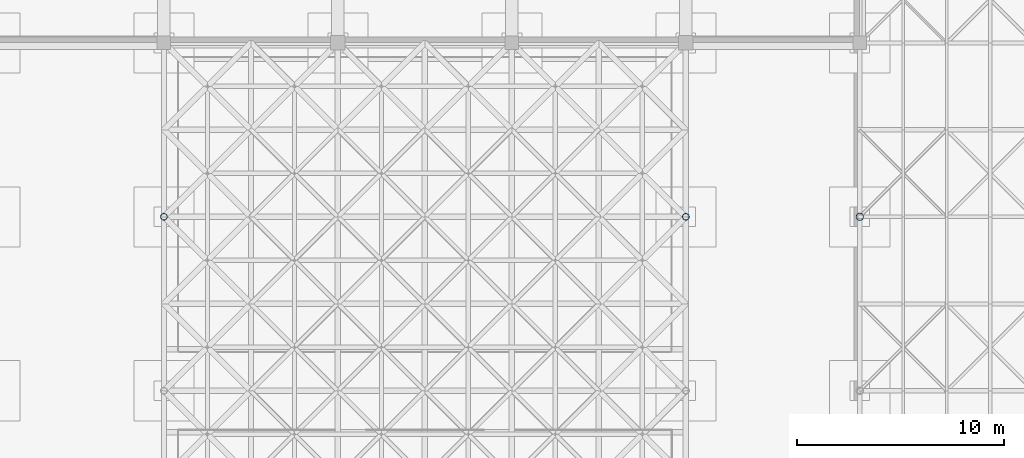
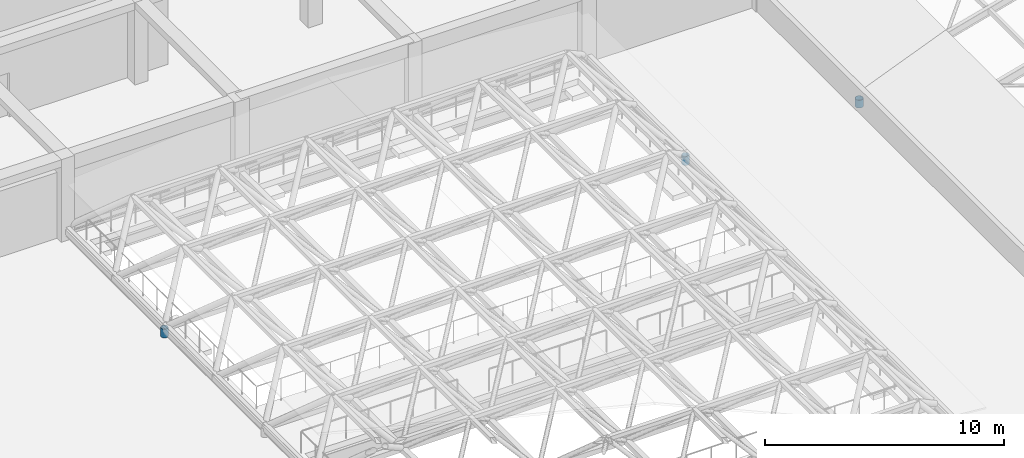
# One storey, part 13 of 85: 3 columns.
"""IFC4 building model written with IfcOpenShell, lengths in metres."""

from ifc_helpers import new_model, si_unit, direction, frame, origin, origin_2d, place, context, subcontext, project, spatial, hollow_circle, extrude, material, material_profile, profile_set, type_object, element, save


model = new_model("IFC4")

# Units and contexts
model_context = context("Model", 3, precision=1e-05, world=origin(), true_north=direction((0.0, 1.0)))
body_context = subcontext(model_context, "Body", "Model", "MODEL_VIEW")
ifc_project = project(units=[si_unit("LENGTHUNIT", "METRE"), si_unit("AREAUNIT", "SQUARE_METRE"), si_unit("VOLUMEUNIT", "CUBIC_METRE"), si_unit("PLANEANGLEUNIT", "RADIAN"), si_unit("MASSUNIT", "GRAM", prefix="KILO")], contexts=[model_context])

# Site, building, storey
site_placement = place(None, origin())
site = spatial("IfcSite", under=ifc_project, at=site_placement, CompositionType="ELEMENT")
building_placement = place(site_placement, origin())
building = spatial("IfcBuilding", under=site, at=building_placement, Name="Almacenes y Pasaje Nevantli", CompositionType="ELEMENT")
storey_placement = place(building_placement, frame((0.0, 0.0, 22.199951171875)))
storey = spatial("IfcBuildingStorey", under=building, at=storey_placement, Name="L05", CompositionType="ELEMENT", Elevation=22.199951171875)

# Columns
ifc_material_1 = material(Name="Steel ASTM A500 Grade C", Category="steel")
ifc_material_profile_1 = material_profile(ifc_material_1, hollow_circle(Radius=0.161865234375, WallThickness=0.009521484375, at=origin_2d()), Name="OC 324x9.5")
ifc_profile_set_1 = profile_set([ifc_material_profile_1], Name="Steel ASTM A500 Grade C")
column_type_1 = type_object("IfcColumnType", Name="COL-STL-OC324", PredefinedType="COLUMN", material=ifc_profile_set_1)
for number, where, z_axis, x_axis, name in (
    (1, (33.60009765625, 67.199951171875, 0.0), (0.0, 0.0, 1.0), (1.0, 0.0, 0.0), "Atrium Skylight Space Frame Pedestal (33.6,67.2)"),
    (2, (58.800048828125, 67.199951171875, 0.0), (0.0, 0.0, 1.0), (1.0, 0.0, 0.0), "Atrium Skylight Space Frame Pedestal (58.8,67.2)"),
):
    element("IfcColumn", number, at=place(storey_placement, frame(where, z_axis=z_axis, x_axis=x_axis)), inside=storey, type_object=column_type_1, Name=name, PredefinedType="COLUMN", context=body_context, shape_type="SweptSolid", body=[
        extrude(hollow_circle(Radius=0.161865234375, WallThickness=0.009521484375, at=origin_2d()), origin(), (0.0, 0.0, 1.0), 0.449951171875),
    ])
ifc_material_2 = material(Name="Steel ASTM A500 Grade C", Category="steel")
ifc_material_profile_2 = material_profile(ifc_material_2, hollow_circle(Radius=0.177734375, WallThickness=0.010986328125, at=origin_2d()), Name="OC 356x11.1")
ifc_profile_set_2 = profile_set([ifc_material_profile_2], Name="Steel ASTM A500 Grade C")
column_type_2 = type_object("IfcColumnType", Name="COL-STL-OC356", PredefinedType="COLUMN", material=ifc_profile_set_2)
column_placement = place(storey_placement, frame((67.199951171875, 67.199951171875, 0.0), z_axis=(0.0, 0.0, 1.0), x_axis=(1.0, 0.0, 0.0)))
element("IfcColumn", 3, at=column_placement, inside=storey, type_object=column_type_2, Name="L05 Arcade Barrel Vault West Springline Pedestal #9", PredefinedType="COLUMN", context=body_context, shape_type="SweptSolid", body=[
    extrude(hollow_circle(Radius=0.177734375, WallThickness=0.010986328125, at=origin_2d()), origin(), (0.0, 0.0, 1.0), 0.400146484375),
])

save(model, "model.ifc")
